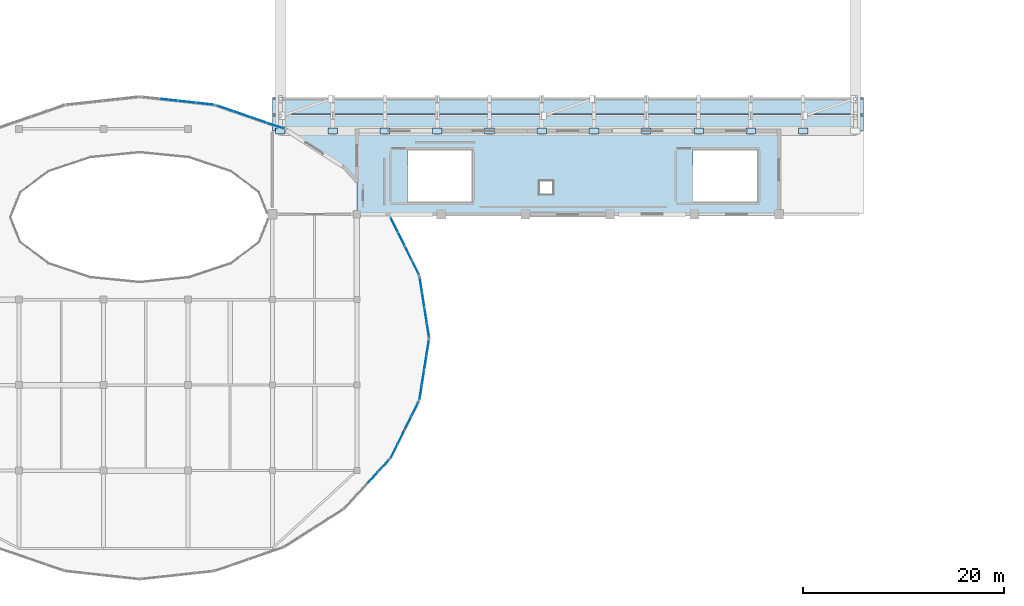
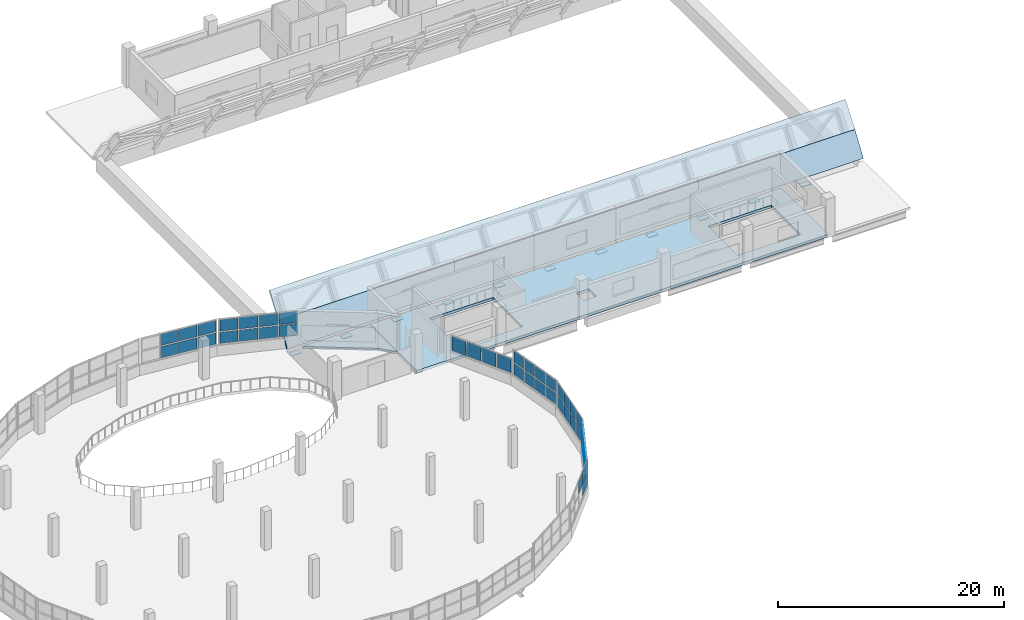
# One storey, part 35 of 52: 56 plates, 4 slabs, 7 elements without a shape of their own.
"""IFC4 building model written with IfcOpenShell, lengths in metres."""

from ifc_helpers import new_model, si_unit, direction, frame, origin, origin_2d, place, context, subcontext, project, spatial, polyline, rectangle, outline, extrude, material, layer, layer_set, type_object, element, aggregate, save


model = new_model("IFC4")

# Units and contexts
model_context = context("Model", 3, precision=1e-05, world=origin(), true_north=direction((0.0, 1.0)))
body_context = subcontext(model_context, "Body", "Model", "MODEL_VIEW")
ifc_project = project(units=[si_unit("LENGTHUNIT", "METRE"), si_unit("AREAUNIT", "SQUARE_METRE"), si_unit("VOLUMEUNIT", "CUBIC_METRE"), si_unit("PLANEANGLEUNIT", "RADIAN"), si_unit("MASSUNIT", "GRAM", prefix="KILO")], contexts=[model_context])

# Site, building, storey
site_placement = place(None, origin())
site = spatial("IfcSite", under=ifc_project, at=site_placement, CompositionType="ELEMENT")
building_placement = place(site_placement, origin())
building = spatial("IfcBuilding", under=site, at=building_placement, Name="Solvento Point Concert Hall", CompositionType="ELEMENT")
storey_placement = place(building_placement, frame((0.0, 0.0, 19.5)))
storey = spatial("IfcBuildingStorey", under=building, at=storey_placement, Name="L04", CompositionType="ELEMENT", Elevation=19.5)

# Curtain wall, plates
ifc_material_1 = material(Name="Anodized Bronze Aluminium", Category="aluminium")
curtain_wall_type = type_object("IfcCurtainWallType", Name="CurtainWall_RingRibbon_L03_04", PredefinedType="USERDEFINED", material=ifc_material_1)
curtain_wall_1_placement = place(storey_placement, origin())
curtain_wall_1 = element("IfcCurtainWall", 1, at=curtain_wall_1_placement, inside=storey, type_object=curtain_wall_type, Name="Unitised curtain wall CW-31 UCW-L04-221", ObjectType="UNITISED CURTAIN WALL", PredefinedType="USERDEFINED")
ifc_material_2 = material(Name="Hurricane Laminated Low-E Glass", Category="glass")
plate_type_1 = type_object("IfcPlateType", Name="CurtainPanel_RingUpper", PredefinedType="CURTAIN_PANEL", material=ifc_material_2)
plate_1_placement = place(storey_placement, frame((64.12060546875, 53.879638671875, 1.239990234375), z_axis=(0.0, 0.0, 1.0), x_axis=(0.994035418963, -0.109057717961, 0.0)))
plate_1 = element("IfcPlate", 2, at=plate_1_placement, type_object=plate_type_1, Name="Glazed curtain panel GL-03", PredefinedType="CURTAIN_PANEL", context=body_context, shape_type="SweptSolid", body=[
    extrude(rectangle(XDim=1.692138671875, YDim=0.035888671875, at=origin_2d()), origin(), (0.0, 0.0, 1.0), 1.22998046875),
])
plate_2_placement = place(storey_placement, frame((64.12060546875, 53.879638671875, 2.590087890625), z_axis=(0.0, 0.0, 1.0), x_axis=(0.994035418963, -0.109057717961, 0.0)))
plate_2 = element("IfcPlate", 3, at=plate_2_placement, type_object=plate_type_1, Name="Glazed curtain panel GL-03", PredefinedType="CURTAIN_PANEL", context=body_context, shape_type="SweptSolid", body=[
    extrude(rectangle(XDim=1.692138671875, YDim=0.035888671875, at=origin_2d()), origin(), (0.0, 0.0, 1.0), 1.22998046875),
])
plate_3_placement = place(storey_placement, frame((65.922119140625, 53.681884765625, 1.239990234375), z_axis=(0.0, 0.0, 1.0), x_axis=(0.994035418963, -0.109057717961, 0.0)))
plate_3 = element("IfcPlate", 4, at=plate_3_placement, type_object=plate_type_1, Name="Glazed curtain panel GL-03", PredefinedType="CURTAIN_PANEL", context=body_context, shape_type="SweptSolid", body=[
    extrude(rectangle(XDim=1.692138671875, YDim=0.035888671875, at=origin_2d()), origin(), (0.0, 0.0, 1.0), 1.22998046875),
])
plate_4_placement = place(storey_placement, frame((65.922119140625, 53.681884765625, 2.590087890625), z_axis=(0.0, 0.0, 1.0), x_axis=(0.994035418963, -0.109057717961, 0.0)))
plate_4 = element("IfcPlate", 5, at=plate_4_placement, type_object=plate_type_1, Name="Glazed curtain panel GL-03", PredefinedType="CURTAIN_PANEL", context=body_context, shape_type="SweptSolid", body=[
    extrude(rectangle(XDim=1.692138671875, YDim=0.035888671875, at=origin_2d()), origin(), (0.0, 0.0, 1.0), 1.22998046875),
])
plate_5_placement = place(storey_placement, frame((67.723388671875, 53.484375, 1.239990234375), z_axis=(0.0, 0.0, 1.0), x_axis=(0.994035418963, -0.109057717961, 0.0)))
plate_5 = element("IfcPlate", 6, at=plate_5_placement, type_object=plate_type_1, Name="Glazed curtain panel GL-03", PredefinedType="CURTAIN_PANEL", context=body_context, shape_type="SweptSolid", body=[
    extrude(rectangle(XDim=1.692138671875, YDim=0.035888671875, at=origin_2d()), origin(), (0.0, 0.0, 1.0), 1.22998046875),
])
plate_6_placement = place(storey_placement, frame((67.723388671875, 53.484375, 2.590087890625), z_axis=(0.0, 0.0, 1.0), x_axis=(0.994035418963, -0.109057717961, 0.0)))
plate_6 = element("IfcPlate", 7, at=plate_6_placement, type_object=plate_type_1, Name="Glazed curtain panel GL-03", PredefinedType="CURTAIN_PANEL", context=body_context, shape_type="SweptSolid", body=[
    extrude(rectangle(XDim=1.692138671875, YDim=0.035888671875, at=origin_2d()), origin(), (0.0, 0.0, 1.0), 1.22998046875),
])
aggregate(curtain_wall_1, [plate_1, plate_2, plate_3, plate_4, plate_5, plate_6])

curtain_wall_2_placement = place(storey_placement, origin())
curtain_wall_2 = element("IfcCurtainWall", 8, at=curtain_wall_2_placement, inside=storey, type_object=curtain_wall_type, Name="Unitised curtain wall CW-31 UCW-L04-222", ObjectType="UNITISED CURTAIN WALL", PredefinedType="USERDEFINED")
plate_7_placement = place(storey_placement, frame((69.70068359375, 53.02099609375, 1.239990234375), z_axis=(0.0, 0.0, 1.0), x_axis=(0.945271125843, -0.326285915492, 0.0)))
plate_7 = element("IfcPlate", 9, at=plate_7_placement, type_object=plate_type_1, Name="Glazed curtain panel GL-03", PredefinedType="CURTAIN_PANEL", context=body_context, shape_type="SweptSolid", body=[
    extrude(rectangle(XDim=1.654541015625, YDim=0.035888671875, at=origin_2d()), origin(), (0.0, 0.0, 1.0), 1.22998046875),
])
plate_8_placement = place(storey_placement, frame((69.70068359375, 53.02099609375, 2.590087890625), z_axis=(0.0, 0.0, 1.0), x_axis=(0.945271125843, -0.326285915492, 0.0)))
plate_8 = element("IfcPlate", 10, at=plate_8_placement, type_object=plate_type_1, Name="Glazed curtain panel GL-03", PredefinedType="CURTAIN_PANEL", context=body_context, shape_type="SweptSolid", body=[
    extrude(rectangle(XDim=1.654541015625, YDim=0.035888671875, at=origin_2d()), origin(), (0.0, 0.0, 1.0), 1.22998046875),
])
plate_9_placement = place(storey_placement, frame((71.378173828125, 52.44189453125, 1.239990234375), z_axis=(0.0, 0.0, 1.0), x_axis=(0.945271125843, -0.326285915492, 0.0)))
plate_9 = element("IfcPlate", 11, at=plate_9_placement, type_object=plate_type_1, Name="Glazed curtain panel GL-03", PredefinedType="CURTAIN_PANEL", context=body_context, shape_type="SweptSolid", body=[
    extrude(rectangle(XDim=1.654541015625, YDim=0.035888671875, at=origin_2d()), origin(), (0.0, 0.0, 1.0), 1.22998046875),
])
plate_10_placement = place(storey_placement, frame((71.378173828125, 52.44189453125, 2.590087890625), z_axis=(0.0, 0.0, 1.0), x_axis=(0.945271125843, -0.326285915492, 0.0)))
plate_10 = element("IfcPlate", 12, at=plate_10_placement, type_object=plate_type_1, Name="Glazed curtain panel GL-03", PredefinedType="CURTAIN_PANEL", context=body_context, shape_type="SweptSolid", body=[
    extrude(rectangle(XDim=1.654541015625, YDim=0.035888671875, at=origin_2d()), origin(), (0.0, 0.0, 1.0), 1.22998046875),
])
plate_11_placement = place(storey_placement, frame((73.055419921875, 51.86279296875, 1.239990234375), z_axis=(0.0, 0.0, 1.0), x_axis=(0.945271125843, -0.326285915492, 0.0)))
plate_11 = element("IfcPlate", 13, at=plate_11_placement, type_object=plate_type_1, Name="Glazed curtain panel GL-03", PredefinedType="CURTAIN_PANEL", context=body_context, shape_type="SweptSolid", body=[
    extrude(rectangle(XDim=1.654541015625, YDim=0.035888671875, at=origin_2d()), origin(), (0.0, 0.0, 1.0), 1.22998046875),
])
plate_12_placement = place(storey_placement, frame((73.055419921875, 51.86279296875, 2.590087890625), z_axis=(0.0, 0.0, 1.0), x_axis=(0.945271125843, -0.326285915492, 0.0)))
plate_12 = element("IfcPlate", 14, at=plate_12_placement, type_object=plate_type_1, Name="Glazed curtain panel GL-03", PredefinedType="CURTAIN_PANEL", context=body_context, shape_type="SweptSolid", body=[
    extrude(rectangle(XDim=1.654541015625, YDim=0.035888671875, at=origin_2d()), origin(), (0.0, 0.0, 1.0), 1.22998046875),
])
plate_13_placement = place(storey_placement, frame((74.73291015625, 51.283935546875, 1.239990234375), z_axis=(0.0, 0.0, 1.0), x_axis=(0.945271125843, -0.326285915492, 0.0)))
plate_13 = element("IfcPlate", 15, at=plate_13_placement, type_object=plate_type_1, Name="Glazed curtain panel GL-03", PredefinedType="CURTAIN_PANEL", context=body_context, shape_type="SweptSolid", body=[
    extrude(rectangle(XDim=1.654541015625, YDim=0.035888671875, at=origin_2d()), origin(), (0.0, 0.0, 1.0), 1.22998046875),
])
plate_14_placement = place(storey_placement, frame((74.73291015625, 51.283935546875, 2.590087890625), z_axis=(0.0, 0.0, 1.0), x_axis=(0.945271125843, -0.326285915492, 0.0)))
plate_14 = element("IfcPlate", 16, at=plate_14_placement, type_object=plate_type_1, Name="Glazed curtain panel GL-03", PredefinedType="CURTAIN_PANEL", context=body_context, shape_type="SweptSolid", body=[
    extrude(rectangle(XDim=1.654541015625, YDim=0.035888671875, at=origin_2d()), origin(), (0.0, 0.0, 1.0), 1.22998046875),
])
aggregate(curtain_wall_2, [plate_7, plate_8, plate_9, plate_10, plate_11, plate_12, plate_13, plate_14])

curtain_wall_3_placement = place(storey_placement, origin())
curtain_wall_3 = element("IfcCurtainWall", 17, at=curtain_wall_3_placement, inside=storey, type_object=curtain_wall_type, Name="Unitised curtain wall CW-31 UCW-L04-223", ObjectType="UNITISED CURTAIN WALL", PredefinedType="USERDEFINED")
plate_15_placement = place(storey_placement, frame((86.51123046875, 41.456298828125, 1.239990234375), z_axis=(0.0, 0.0, 1.0), x_axis=(0.445115052099, -0.895473388993, 0.0)))
plate_15 = element("IfcPlate", 18, at=plate_15_placement, type_object=plate_type_1, Name="Glazed curtain panel GL-03", PredefinedType="CURTAIN_PANEL", context=body_context, shape_type="SweptSolid", body=[
    extrude(rectangle(XDim=1.48095703125, YDim=0.035888671875, at=origin_2d()), origin(), (0.0, 0.0, 1.0), 1.5380859375),
])
plate_16_placement = place(storey_placement, frame((87.223876953125, 40.022705078125, 1.239990234375), z_axis=(0.0, 0.0, 1.0), x_axis=(0.445115052099, -0.895473388993, 0.0)))
plate_16 = element("IfcPlate", 19, at=plate_16_placement, type_object=plate_type_1, Name="Glazed curtain panel GL-03", PredefinedType="CURTAIN_PANEL", context=body_context, shape_type="SweptSolid", body=[
    extrude(rectangle(XDim=1.48095703125, YDim=0.035888671875, at=origin_2d()), origin(), (0.0, 0.0, 1.0), 1.5380859375),
])
plate_17_placement = place(storey_placement, frame((87.936279296875, 38.589111328125, 1.239990234375), z_axis=(0.0, 0.0, 1.0), x_axis=(0.445115052099, -0.895473388993, 0.0)))
plate_17 = element("IfcPlate", 20, at=plate_17_placement, type_object=plate_type_1, Name="Glazed curtain panel GL-03", PredefinedType="CURTAIN_PANEL", context=body_context, shape_type="SweptSolid", body=[
    extrude(rectangle(XDim=1.48095703125, YDim=0.035888671875, at=origin_2d()), origin(), (0.0, 0.0, 1.0), 1.5380859375),
])
plate_18_placement = place(storey_placement, frame((88.64892578125, 37.155517578125, 1.239990234375), z_axis=(0.0, 0.0, 1.0), x_axis=(0.445115052099, -0.895473388993, 0.0)))
plate_18 = element("IfcPlate", 21, at=plate_18_placement, type_object=plate_type_1, Name="Glazed curtain panel GL-03", PredefinedType="CURTAIN_PANEL", context=body_context, shape_type="SweptSolid", body=[
    extrude(rectangle(XDim=1.48095703125, YDim=0.035888671875, at=origin_2d()), origin(), (0.0, 0.0, 1.0), 1.5380859375),
])
aggregate(curtain_wall_3, [plate_15, plate_16, plate_17, plate_18])

curtain_wall_4_placement = place(storey_placement, origin())
curtain_wall_4 = element("IfcCurtainWall", 22, at=curtain_wall_4_placement, inside=storey, type_object=curtain_wall_type, Name="Unitised curtain wall CW-31 UCW-L04-224", ObjectType="UNITISED CURTAIN WALL", PredefinedType="USERDEFINED")
plate_19_placement = place(storey_placement, frame((89.1708984375, 35.44873046875, 1.239990234375), z_axis=(0.0, 0.0, 1.0), x_axis=(0.156041416836, -0.987750513152, 0.0)))
plate_19 = element("IfcPlate", 23, at=plate_19_placement, type_object=plate_type_1, Name="Glazed curtain panel GL-03", PredefinedType="CURTAIN_PANEL", context=body_context, shape_type="SweptSolid", body=[
    extrude(rectangle(XDim=1.3896484375, YDim=0.035888671875, at=origin_2d()), origin(), (0.0, 0.0, 1.0), 1.22998046875),
])
plate_20_placement = place(storey_placement, frame((89.1708984375, 35.44873046875, 2.590087890625), z_axis=(0.0, 0.0, 1.0), x_axis=(0.156041416836, -0.987750513152, 0.0)))
plate_20 = element("IfcPlate", 24, at=plate_20_placement, type_object=plate_type_1, Name="Glazed curtain panel GL-03", PredefinedType="CURTAIN_PANEL", context=body_context, shape_type="SweptSolid", body=[
    extrude(rectangle(XDim=1.3896484375, YDim=0.035888671875, at=origin_2d()), origin(), (0.0, 0.0, 1.0), 1.22998046875),
])
plate_21_placement = place(storey_placement, frame((89.406494140625, 33.95751953125, 1.239990234375), z_axis=(0.0, 0.0, 1.0), x_axis=(0.156041416836, -0.987750513152, 0.0)))
plate_21 = element("IfcPlate", 25, at=plate_21_placement, type_object=plate_type_1, Name="Glazed curtain panel GL-03", PredefinedType="CURTAIN_PANEL", context=body_context, shape_type="SweptSolid", body=[
    extrude(rectangle(XDim=1.3896484375, YDim=0.035888671875, at=origin_2d()), origin(), (0.0, 0.0, 1.0), 1.22998046875),
])
plate_22_placement = place(storey_placement, frame((89.406494140625, 33.95751953125, 2.590087890625), z_axis=(0.0, 0.0, 1.0), x_axis=(0.156041416836, -0.987750513152, 0.0)))
plate_22 = element("IfcPlate", 26, at=plate_22_placement, type_object=plate_type_1, Name="Glazed curtain panel GL-03", PredefinedType="CURTAIN_PANEL", context=body_context, shape_type="SweptSolid", body=[
    extrude(rectangle(XDim=1.3896484375, YDim=0.035888671875, at=origin_2d()), origin(), (0.0, 0.0, 1.0), 1.22998046875),
])
plate_23_placement = place(storey_placement, frame((89.64208984375, 32.46630859375, 1.239990234375), z_axis=(0.0, 0.0, 1.0), x_axis=(0.156041416836, -0.987750513152, 0.0)))
plate_23 = element("IfcPlate", 27, at=plate_23_placement, type_object=plate_type_1, Name="Glazed curtain panel GL-03", PredefinedType="CURTAIN_PANEL", context=body_context, shape_type="SweptSolid", body=[
    extrude(rectangle(XDim=1.3896484375, YDim=0.035888671875, at=origin_2d()), origin(), (0.0, 0.0, 1.0), 1.22998046875),
])
plate_24_placement = place(storey_placement, frame((89.64208984375, 32.46630859375, 2.590087890625), z_axis=(0.0, 0.0, 1.0), x_axis=(0.156041416836, -0.987750513152, 0.0)))
plate_24 = element("IfcPlate", 28, at=plate_24_placement, type_object=plate_type_1, Name="Glazed curtain panel GL-03", PredefinedType="CURTAIN_PANEL", context=body_context, shape_type="SweptSolid", body=[
    extrude(rectangle(XDim=1.3896484375, YDim=0.035888671875, at=origin_2d()), origin(), (0.0, 0.0, 1.0), 1.22998046875),
])
plate_25_placement = place(storey_placement, frame((89.87744140625, 30.97509765625, 1.239990234375), z_axis=(0.0, 0.0, 1.0), x_axis=(0.156041416836, -0.987750513152, 0.0)))
plate_25 = element("IfcPlate", 29, at=plate_25_placement, type_object=plate_type_1, Name="Glazed curtain panel GL-03", PredefinedType="CURTAIN_PANEL", context=body_context, shape_type="SweptSolid", body=[
    extrude(rectangle(XDim=1.3896484375, YDim=0.035888671875, at=origin_2d()), origin(), (0.0, 0.0, 1.0), 1.22998046875),
])
plate_26_placement = place(storey_placement, frame((89.87744140625, 30.97509765625, 2.590087890625), z_axis=(0.0, 0.0, 1.0), x_axis=(0.156041416836, -0.987750513152, 0.0)))
plate_26 = element("IfcPlate", 30, at=plate_26_placement, type_object=plate_type_1, Name="Glazed curtain panel GL-03", PredefinedType="CURTAIN_PANEL", context=body_context, shape_type="SweptSolid", body=[
    extrude(rectangle(XDim=1.3896484375, YDim=0.035888671875, at=origin_2d()), origin(), (0.0, 0.0, 1.0), 1.22998046875),
])
aggregate(curtain_wall_4, [plate_19, plate_20, plate_21, plate_22, plate_23, plate_24, plate_25, plate_26])

curtain_wall_5_placement = place(storey_placement, origin())
curtain_wall_5 = element("IfcCurtainWall", 31, at=curtain_wall_5_placement, inside=storey, type_object=curtain_wall_type, Name="Unitised curtain wall CW-31 UCW-L04-225", ObjectType="UNITISED CURTAIN WALL", PredefinedType="USERDEFINED")
plate_27_placement = place(storey_placement, frame((89.847900390625, 29.237060546875, 1.239990234375), z_axis=(0.0, 0.0, 1.0), x_axis=(-0.156041416836, -0.987750513152, 0.0)))
plate_27 = element("IfcPlate", 32, at=plate_27_placement, type_object=plate_type_1, Name="Glazed curtain panel GL-03", PredefinedType="CURTAIN_PANEL", context=body_context, shape_type="SweptSolid", body=[
    extrude(rectangle(XDim=1.3896484375, YDim=0.035888671875, at=origin_2d()), origin(), (0.0, 0.0, 1.0), 1.22998046875),
])
plate_28_placement = place(storey_placement, frame((89.847900390625, 29.237060546875, 2.590087890625), z_axis=(0.0, 0.0, 1.0), x_axis=(-0.156041416836, -0.987750513152, 0.0)))
plate_28 = element("IfcPlate", 33, at=plate_28_placement, type_object=plate_type_1, Name="Glazed curtain panel GL-03", PredefinedType="CURTAIN_PANEL", context=body_context, shape_type="SweptSolid", body=[
    extrude(rectangle(XDim=1.3896484375, YDim=0.035888671875, at=origin_2d()), origin(), (0.0, 0.0, 1.0), 1.22998046875),
])
plate_29_placement = place(storey_placement, frame((89.6123046875, 27.745849609375, 1.239990234375), z_axis=(0.0, 0.0, 1.0), x_axis=(-0.156041416836, -0.987750513152, 0.0)))
plate_29 = element("IfcPlate", 34, at=plate_29_placement, type_object=plate_type_1, Name="Glazed curtain panel GL-03", PredefinedType="CURTAIN_PANEL", context=body_context, shape_type="SweptSolid", body=[
    extrude(rectangle(XDim=1.3896484375, YDim=0.035888671875, at=origin_2d()), origin(), (0.0, 0.0, 1.0), 1.22998046875),
])
plate_30_placement = place(storey_placement, frame((89.6123046875, 27.745849609375, 2.590087890625), z_axis=(0.0, 0.0, 1.0), x_axis=(-0.156041416836, -0.987750513152, 0.0)))
plate_30 = element("IfcPlate", 35, at=plate_30_placement, type_object=plate_type_1, Name="Glazed curtain panel GL-03", PredefinedType="CURTAIN_PANEL", context=body_context, shape_type="SweptSolid", body=[
    extrude(rectangle(XDim=1.3896484375, YDim=0.035888671875, at=origin_2d()), origin(), (0.0, 0.0, 1.0), 1.22998046875),
])
plate_31_placement = place(storey_placement, frame((89.376708984375, 26.254638671875, 1.239990234375), z_axis=(0.0, 0.0, 1.0), x_axis=(-0.156041416836, -0.987750513152, 0.0)))
plate_31 = element("IfcPlate", 36, at=plate_31_placement, type_object=plate_type_1, Name="Glazed curtain panel GL-03", PredefinedType="CURTAIN_PANEL", context=body_context, shape_type="SweptSolid", body=[
    extrude(rectangle(XDim=1.3896484375, YDim=0.035888671875, at=origin_2d()), origin(), (0.0, 0.0, 1.0), 1.22998046875),
])
plate_32_placement = place(storey_placement, frame((89.376708984375, 26.254638671875, 2.590087890625), z_axis=(0.0, 0.0, 1.0), x_axis=(-0.156041416836, -0.987750513152, 0.0)))
plate_32 = element("IfcPlate", 37, at=plate_32_placement, type_object=plate_type_1, Name="Glazed curtain panel GL-03", PredefinedType="CURTAIN_PANEL", context=body_context, shape_type="SweptSolid", body=[
    extrude(rectangle(XDim=1.3896484375, YDim=0.035888671875, at=origin_2d()), origin(), (0.0, 0.0, 1.0), 1.22998046875),
])
plate_33_placement = place(storey_placement, frame((89.14111328125, 24.763427734375, 1.239990234375), z_axis=(0.0, 0.0, 1.0), x_axis=(-0.156041416836, -0.987750513152, 0.0)))
plate_33 = element("IfcPlate", 38, at=plate_33_placement, type_object=plate_type_1, Name="Glazed curtain panel GL-03", PredefinedType="CURTAIN_PANEL", context=body_context, shape_type="SweptSolid", body=[
    extrude(rectangle(XDim=1.3896484375, YDim=0.035888671875, at=origin_2d()), origin(), (0.0, 0.0, 1.0), 1.22998046875),
])
plate_34_placement = place(storey_placement, frame((89.14111328125, 24.763427734375, 2.590087890625), z_axis=(0.0, 0.0, 1.0), x_axis=(-0.156041416836, -0.987750513152, 0.0)))
plate_34 = element("IfcPlate", 39, at=plate_34_placement, type_object=plate_type_1, Name="Glazed curtain panel GL-03", PredefinedType="CURTAIN_PANEL", context=body_context, shape_type="SweptSolid", body=[
    extrude(rectangle(XDim=1.3896484375, YDim=0.035888671875, at=origin_2d()), origin(), (0.0, 0.0, 1.0), 1.22998046875),
])
aggregate(curtain_wall_5, [plate_27, plate_28, plate_29, plate_30, plate_31, plate_32, plate_33, plate_34])

curtain_wall_6_placement = place(storey_placement, origin())
curtain_wall_6 = element("IfcCurtainWall", 40, at=curtain_wall_6_placement, inside=storey, type_object=curtain_wall_type, Name="Unitised curtain wall CW-31 UCW-L04-226", ObjectType="UNITISED CURTAIN WALL", PredefinedType="USERDEFINED")
plate_35_placement = place(storey_placement, frame((88.574951171875, 23.095703125, 1.239990234375), z_axis=(0.0, 0.0, 1.0), x_axis=(-0.445115052099, -0.895473388993, 0.0)))
plate_35 = element("IfcPlate", 41, at=plate_35_placement, type_object=plate_type_1, Name="Glazed curtain panel GL-03", PredefinedType="CURTAIN_PANEL", context=body_context, shape_type="SweptSolid", body=[
    extrude(rectangle(XDim=1.43359375, YDim=0.035888671875, at=origin_2d()), origin(), (0.0, 0.0, 1.0), 1.22998046875),
])
plate_36_placement = place(storey_placement, frame((88.574951171875, 23.095703125, 2.590087890625), z_axis=(0.0, 0.0, 1.0), x_axis=(-0.445115052099, -0.895473388993, 0.0)))
plate_36 = element("IfcPlate", 42, at=plate_36_placement, type_object=plate_type_1, Name="Glazed curtain panel GL-03", PredefinedType="CURTAIN_PANEL", context=body_context, shape_type="SweptSolid", body=[
    extrude(rectangle(XDim=1.43359375, YDim=0.035888671875, at=origin_2d()), origin(), (0.0, 0.0, 1.0), 1.22998046875),
])
plate_37_placement = place(storey_placement, frame((87.883544921875, 21.70458984375, 1.239990234375), z_axis=(0.0, 0.0, 1.0), x_axis=(-0.445115052099, -0.895473388993, 0.0)))
plate_37 = element("IfcPlate", 43, at=plate_37_placement, type_object=plate_type_1, Name="Glazed curtain panel GL-03", PredefinedType="CURTAIN_PANEL", context=body_context, shape_type="SweptSolid", body=[
    extrude(rectangle(XDim=1.43359375, YDim=0.035888671875, at=origin_2d()), origin(), (0.0, 0.0, 1.0), 1.22998046875),
])
plate_38_placement = place(storey_placement, frame((87.883544921875, 21.70458984375, 2.590087890625), z_axis=(0.0, 0.0, 1.0), x_axis=(-0.445115052099, -0.895473388993, 0.0)))
plate_38 = element("IfcPlate", 44, at=plate_38_placement, type_object=plate_type_1, Name="Glazed curtain panel GL-03", PredefinedType="CURTAIN_PANEL", context=body_context, shape_type="SweptSolid", body=[
    extrude(rectangle(XDim=1.43359375, YDim=0.035888671875, at=origin_2d()), origin(), (0.0, 0.0, 1.0), 1.22998046875),
])
plate_39_placement = place(storey_placement, frame((87.192138671875, 20.3134765625, 1.239990234375), z_axis=(0.0, 0.0, 1.0), x_axis=(-0.445115052099, -0.895473388993, 0.0)))
plate_39 = element("IfcPlate", 45, at=plate_39_placement, type_object=plate_type_1, Name="Glazed curtain panel GL-03", PredefinedType="CURTAIN_PANEL", context=body_context, shape_type="SweptSolid", body=[
    extrude(rectangle(XDim=1.43359375, YDim=0.035888671875, at=origin_2d()), origin(), (0.0, 0.0, 1.0), 1.22998046875),
])
plate_40_placement = place(storey_placement, frame((87.192138671875, 20.3134765625, 2.590087890625), z_axis=(0.0, 0.0, 1.0), x_axis=(-0.445115052099, -0.895473388993, 0.0)))
plate_40 = element("IfcPlate", 46, at=plate_40_placement, type_object=plate_type_1, Name="Glazed curtain panel GL-03", PredefinedType="CURTAIN_PANEL", context=body_context, shape_type="SweptSolid", body=[
    extrude(rectangle(XDim=1.43359375, YDim=0.035888671875, at=origin_2d()), origin(), (0.0, 0.0, 1.0), 1.22998046875),
])
plate_41_placement = place(storey_placement, frame((86.50048828125, 18.92236328125, 1.239990234375), z_axis=(0.0, 0.0, 1.0), x_axis=(-0.445115052099, -0.895473388993, 0.0)))
plate_41 = element("IfcPlate", 47, at=plate_41_placement, type_object=plate_type_1, Name="Glazed curtain panel GL-03", PredefinedType="CURTAIN_PANEL", context=body_context, shape_type="SweptSolid", body=[
    extrude(rectangle(XDim=1.43359375, YDim=0.035888671875, at=origin_2d()), origin(), (0.0, 0.0, 1.0), 1.22998046875),
])
plate_42_placement = place(storey_placement, frame((86.50048828125, 18.92236328125, 2.590087890625), z_axis=(0.0, 0.0, 1.0), x_axis=(-0.445115052099, -0.895473388993, 0.0)))
plate_42 = element("IfcPlate", 48, at=plate_42_placement, type_object=plate_type_1, Name="Glazed curtain panel GL-03", PredefinedType="CURTAIN_PANEL", context=body_context, shape_type="SweptSolid", body=[
    extrude(rectangle(XDim=1.43359375, YDim=0.035888671875, at=origin_2d()), origin(), (0.0, 0.0, 1.0), 1.22998046875),
])
aggregate(curtain_wall_6, [plate_35, plate_36, plate_37, plate_38, plate_39, plate_40, plate_41, plate_42])

curtain_wall_7_placement = place(storey_placement, origin())
curtain_wall_7 = element("IfcCurtainWall", 49, at=curtain_wall_7_placement, inside=storey, type_object=curtain_wall_type, Name="Unitised curtain wall CW-31 UCW-L04-227", ObjectType="UNITISED CURTAIN WALL", PredefinedType="USERDEFINED")
plate_43_placement = place(storey_placement, frame((85.44140625, 17.439697265625, 1.239990234375), z_axis=(0.0, 0.0, 1.0), x_axis=(-0.677365302802, -0.735646821892, 0.0)))
plate_43 = element("IfcPlate", 50, at=plate_43_placement, type_object=plate_type_1, Name="Glazed curtain panel GL-03", PredefinedType="CURTAIN_PANEL", context=body_context, shape_type="SweptSolid", body=[
    extrude(rectangle(XDim=1.506591796875, YDim=0.035888671875, at=origin_2d()), origin(), (0.0, 0.0, 1.0), 1.22998046875),
])
plate_44_placement = place(storey_placement, frame((85.44140625, 17.439697265625, 2.590087890625), z_axis=(0.0, 0.0, 1.0), x_axis=(-0.677365302802, -0.735646821892, 0.0)))
plate_44 = element("IfcPlate", 51, at=plate_44_placement, type_object=plate_type_1, Name="Glazed curtain panel GL-03", PredefinedType="CURTAIN_PANEL", context=body_context, shape_type="SweptSolid", body=[
    extrude(rectangle(XDim=1.506591796875, YDim=0.035888671875, at=origin_2d()), origin(), (0.0, 0.0, 1.0), 1.22998046875),
])
plate_45_placement = place(storey_placement, frame((84.339599609375, 16.2431640625, 2.590087890625), z_axis=(0.0, 0.0, 1.0), x_axis=(-0.677365302802, -0.735646821892, 0.0)))
plate_45 = element("IfcPlate", 52, at=plate_45_placement, type_object=plate_type_1, Name="Glazed curtain panel GL-03", PredefinedType="CURTAIN_PANEL", context=body_context, shape_type="SweptSolid", body=[
    extrude(rectangle(XDim=1.506591796875, YDim=0.035888671875, at=origin_2d()), origin(), (0.0, 0.0, 1.0), 1.22998046875),
])
aggregate(curtain_wall_7, [plate_43, plate_44, plate_45])

# Slab
ifc_material_3 = material(Name="Concrete C35/45", Category="concrete")
ifc_layer_1 = layer(ifc_material_3, 0.2900390625)
ifc_layer_set_1 = layer_set([ifc_layer_1], Name="Concrete C35/45")
slab_type_1 = type_object("IfcSlabType", Name="FloorSlab_290_Arc", PredefinedType="FLOOR", material=ifc_layer_set_1)
slab_1_placement = place(storey_placement, frame((0.0, 0.0, -0.2900390625)))
element("IfcSlab", 53, at=slab_1_placement, inside=storey, type_object=slab_type_1, Name="Structural slab SL-L04 SLAB-L04-V1S", PredefinedType="FLOOR", context=body_context, shape_type="SweptSolid", body=[
    extrude(outline(polyline([(82.800048828125, 50.800048828125), (124.800048828125, 50.800048828125), (124.800048828125, 42.5), (82.800048828125, 42.5), (82.800048828125, 50.800048828125)]), holes=[polyline([(122.699951171875, 48.89990234375), (116.25, 48.89990234375), (116.25, 43.699951171875), (122.699951171875, 43.699951171875), (122.699951171875, 48.89990234375)]), polyline([(102.300048828125, 45.800048828125), (101.0, 45.800048828125), (101.0, 44.5), (102.300048828125, 44.5), (102.300048828125, 45.800048828125)]), polyline([(94.300048828125, 48.89990234375), (87.85009765625, 48.89990234375), (87.85009765625, 43.699951171875), (94.300048828125, 43.699951171875), (94.300048828125, 48.89990234375)])]), origin(), (0.0, 0.0, 1.0), 0.2900390625),
])

# Plates
ifc_material_4 = material(Name="Structural Steel ASTM A572 Grade 50", Category="steel")
ifc_layer_2 = layer(ifc_material_4, 0.031982421875)
ifc_layer_set_2 = layer_set([ifc_layer_2], Name="Structural Steel ASTM A572 Grade 50")
plate_type_2 = type_object("IfcPlateType", Name="NodePlate_AR01", PredefinedType="SHEET", material=ifc_layer_set_2)
for number, where, z_axis, x_axis, name in (
    (54, (75.199951171875, 50.800048828125, -0.4658203125), (0.0, 0.0, 1.0), (1.0, 0.0, 0.0), "Arch rib springing shoe node ND-AR01"),
    (55, (80.39990234375, 50.800048828125, -0.4658203125), (0.0, 0.0, 1.0), (1.0, 0.0, 0.0), "Arch rib springing shoe node ND-AR01"),
    (56, (85.60009765625, 50.800048828125, -0.4658203125), (0.0, 0.0, 1.0), (1.0, 0.0, 0.0), "Arch rib springing shoe node ND-AR01"),
    (57, (90.800048828125, 50.800048828125, -0.4658203125), (0.0, 0.0, 1.0), (1.0, 0.0, 0.0), "Arch rib springing shoe node ND-AR01"),
    (58, (96.0, 50.800048828125, -0.4658203125), (0.0, 0.0, 1.0), (1.0, 0.0, 0.0), "Arch rib springing shoe node ND-AR01"),
    (59, (101.199951171875, 50.800048828125, -0.4658203125), (0.0, 0.0, 1.0), (1.0, 0.0, 0.0), "Arch rib springing shoe node ND-AR01"),
    (60, (106.39990234375, 50.800048828125, -0.4658203125), (0.0, 0.0, 1.0), (1.0, 0.0, 0.0), "Arch rib springing shoe node ND-AR01"),
    (61, (111.60009765625, 50.800048828125, -0.4658203125), (0.0, 0.0, 1.0), (1.0, 0.0, 0.0), "Arch rib springing shoe node ND-AR01"),
    (62, (116.800048828125, 50.800048828125, -0.4658203125), (0.0, 0.0, 1.0), (1.0, 0.0, 0.0), "Arch rib springing shoe node ND-AR01"),
    (63, (122.0, 50.800048828125, -0.4658203125), (0.0, 0.0, 1.0), (1.0, 0.0, 0.0), "Arch rib springing shoe node ND-AR01"),
    (64, (127.199951171875, 50.800048828125, -0.4658203125), (0.0, 0.0, 1.0), (1.0, 0.0, 0.0), "Arch rib springing shoe node ND-AR01"),
):
    element("IfcPlate", number, at=place(storey_placement, frame(where, z_axis=z_axis, x_axis=x_axis)), inside=storey, type_object=plate_type_2, Name=name, PredefinedType="SHEET", context=body_context, shape_type="SweptSolid", body=[
        extrude(rectangle(XDim=0.9599609375, YDim=0.60009765625, at=origin_2d()), origin(), (0.0, 0.0, 1.0), 0.031982421875),
    ])

# Slabs
ifc_material_5 = material(Name="Concrete C40/50", Category="concrete")
ifc_layer_3 = layer(ifc_material_5, 0.260009765625)
ifc_layer_set_3 = layer_set([ifc_layer_3], Name="Concrete C40/50")
slab_type_2 = type_object("IfcSlabType", Name="RoofFlat_260", PredefinedType="ROOF", material=ifc_layer_set_3)
slab_2_placement = place(storey_placement, frame((0.0, 0.0, -0.260009765625)))
element("IfcSlab", 65, at=slab_2_placement, inside=storey, type_object=slab_type_2, Name="Structural slab RF-DK1 RF-L04-V1SW", PredefinedType="ROOF", context=body_context, shape_type="SweptSolid", body=[
    extrude(outline(polyline([(82.800048828125, 50.800048828125), (82.800048828125, 45.8291015625), (81.564697265625, 47.170654296875), (75.888671875, 50.800048828125), (82.800048828125, 50.800048828125)])), origin(), (0.0, 0.0, 1.0), 0.260009765625),
])
ifc_material_6 = material(Name="Concrete C40/50", Category="concrete")
ifc_layer_4 = layer(ifc_material_6, 0.219970703125)
ifc_layer_set_4 = layer_set([ifc_layer_4], Name="Concrete C40/50")
slab_type_3 = type_object("IfcSlabType", Name="RoofShell_220", PredefinedType="ROOF", material=ifc_layer_set_4)
slab_3_placement = place(storey_placement, frame((74.39990234375, 50.800048828125, 0.219970703125), z_axis=(0.0, -0.830398729066, 0.557169588873), x_axis=(1.0, 0.0, 0.0)))
element("IfcSlab", 66, at=slab_3_placement, inside=storey, type_object=slab_type_3, Name="Concrete acoustic shell roof panel CS-01 #1", PredefinedType="ROOF", context=body_context, shape_type="SweptSolid", body=[
    extrude(outline(polyline([(0.0, 0.0), (58.800048828125, 0.0), (58.800048828125, 2.689549440918433), (0.0, 2.689549440918433), (0.0, 0.0)])), origin(), (0.0, 0.0, -1.0), 0.219970703125),
])
slab_4_placement = place(storey_placement, frame((74.39990234375, 52.298583984375, 2.453369140625), z_axis=(0.0, -0.8029814878, 0.596003968317), x_axis=(1.0, 0.0, 0.0)))
element("IfcSlab", 67, at=slab_4_placement, inside=storey, type_object=slab_type_3, Name="Concrete acoustic shell roof panel CS-01 #2", PredefinedType="ROOF", context=body_context, shape_type="SweptSolid", body=[
    extrude(outline(polyline([(0.0, 0.0), (58.800048828125, 0.0), (58.800048828125, 2.781382225408174), (0.0, 2.781382225408174), (0.0, 0.0)])), origin(), (0.0, 0.0, -1.0), 0.219970703125),
])

save(model, "model.ifc")
